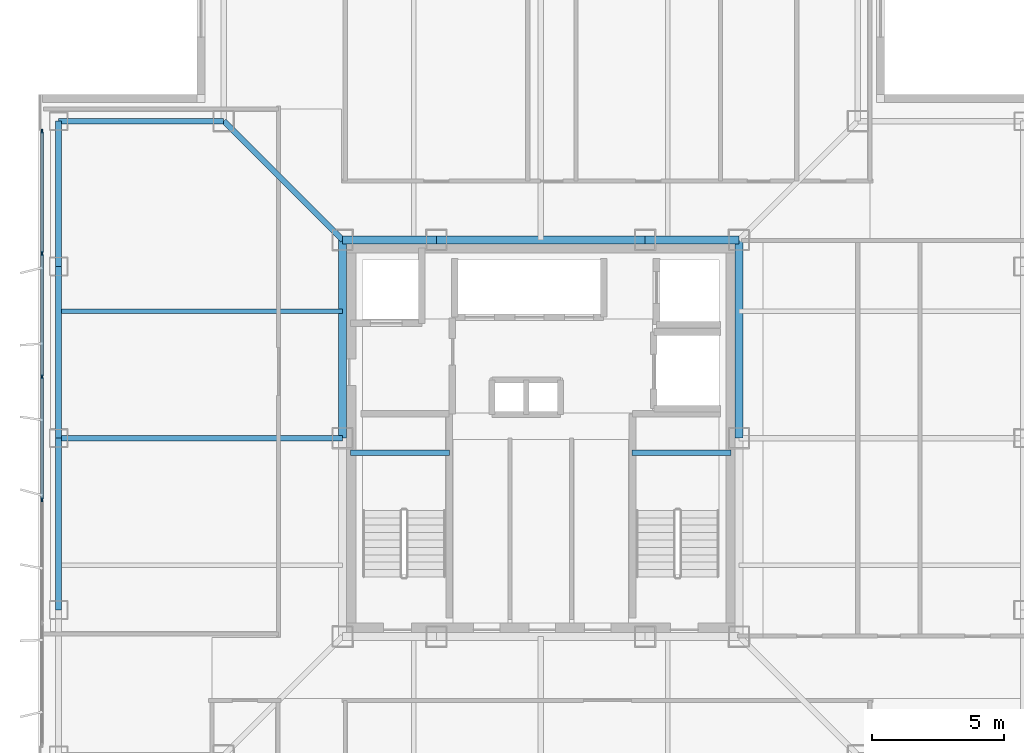
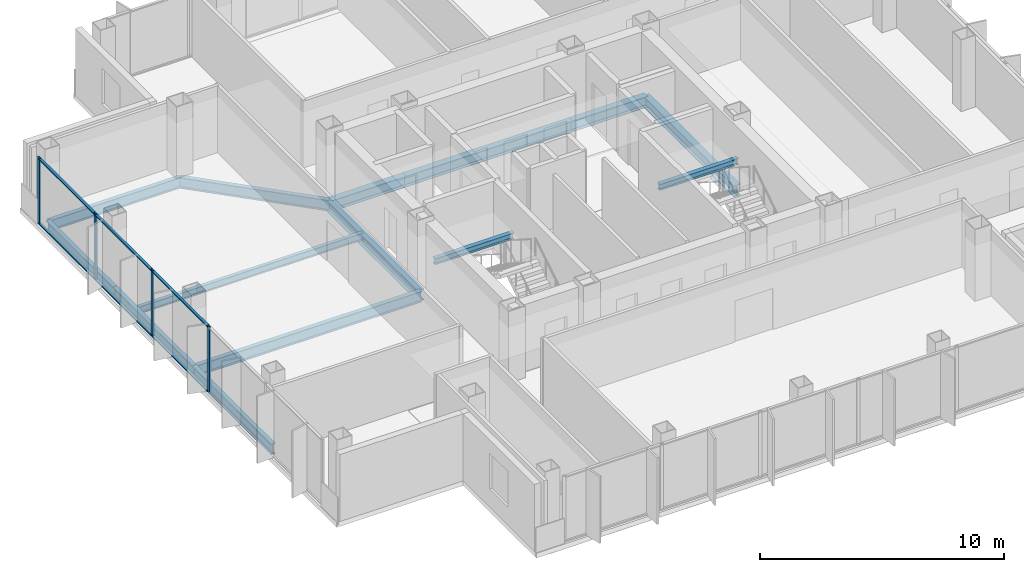
# One storey, part 4 of 15: 14 beams, 10 members, 1 element without a shape of its own.
"""IFC4 building model written with IfcOpenShell, lengths in metres."""

import ifcopenshell
import ifcopenshell.guid

model = None  # the IFC model being written
_history = None  # IfcOwnerHistory: only IFC2X3 demands one
_inside = {}  # id of a spatial element -> (the spatial element, [elements in it])
_under = {}  # id of a project, library or spatial element -> (it, [spatial elements below it])
_declared = {}  # id of a project -> (the project, [libraries it declares])
_typed = {}  # id of a type object -> (the type object, [elements of that type])
_made_of = {}  # id of a material, layer set ... -> (it, [elements and type objects made of it])


def new_model(schema):
    """Start an empty IFC model of exactly this schema.

    Asked for "IFC4X3", IfcOpenShell would pick the latest addendum, in which some entities
    have other attributes; the version numbers below select the first issue.
    IFC2X3 requires an IfcOwnerHistory on every rooted entity: one is made here for all.
    """
    global model, _history
    if schema == "IFC4X3":
        model = ifcopenshell.file(schema_version=(4, 3, 0, 0))
    else:
        model = ifcopenshell.file(schema=schema)
    _inside.clear()
    _under.clear()
    _declared.clear()
    _typed.clear()
    _made_of.clear()
    _history = None
    if model.schema == "IFC2X3":
        org = make("IfcOrganization", Name="unknown")
        user = make(
            "IfcPersonAndOrganization",
            ThePerson=make("IfcPerson", FamilyName="unknown"),
            TheOrganization=org,
        )
        app = make(
            "IfcApplication",
            ApplicationDeveloper=org,
            Version="unknown",
            ApplicationFullName="unknown",
            ApplicationIdentifier="unknown",
        )
        _history = make(
            "IfcOwnerHistory",
            OwningUser=user,
            OwningApplication=app,
            ChangeAction="ADDED",
            CreationDate=0,
        )
    return model


def make(cls, **values):
    """One entity of the class cls with the attributes given. An attribute that is None is left unset."""
    return model.create_entity(
        cls, **{name: value for name, value in values.items() if value is not None}
    )


def rooted(cls, **values):
    """An entity with a GlobalId (a new one), such as an element, a storey or a relation."""
    return make(cls, GlobalId=ifcopenshell.guid.new(), OwnerHistory=_history, **values)


def si_unit(unit_type, name, prefix=None):
    """IfcSIUnit, for example si_unit("LENGTHUNIT", "METRE", prefix="MILLI")."""
    return make("IfcSIUnit", UnitType=unit_type, Prefix=prefix, Name=name)


def assignment(units):
    """IfcUnitAssignment: the units of a project."""
    return None if units is None else make("IfcUnitAssignment", Units=units)


def point(xyz):
    """IfcCartesianPoint."""
    return None if xyz is None else make("IfcCartesianPoint", Coordinates=xyz)


def direction(xyz):
    """IfcDirection."""
    return None if xyz is None else make("IfcDirection", DirectionRatios=xyz)


def frame(location, z_axis=None, x_axis=None):
    """IfcAxis2Placement3D, a coordinate frame: its origin and axes. An axis left out is left unset."""
    return make(
        "IfcAxis2Placement3D",
        Location=point(location),
        Axis=direction(z_axis),
        RefDirection=direction(x_axis),
    )


def frame_2d(location, x_axis=None):
    """IfcAxis2Placement2D, a coordinate frame in the plane: its origin and x axis."""
    return make(
        "IfcAxis2Placement2D", Location=point(location), RefDirection=direction(x_axis)
    )


def origin():
    """The frame at (0, 0, 0) with its axes left unset."""
    return frame((0.0, 0.0, 0.0))


def origin_2d():
    """The frame at (0, 0) in the plane with its x axis left unset."""
    return frame_2d((0.0, 0.0))


def place(relative_to, where):
    """IfcLocalPlacement: puts the frame where relative to a parent placement (None: the world)."""
    return make(
        "IfcLocalPlacement", PlacementRelTo=relative_to, RelativePlacement=where
    )


def context(
    kind, dimensions, precision=None, world=None, true_north=None, identifier=None
):
    """IfcGeometricRepresentationContext, for example the 3D "Model" context."""
    return make(
        "IfcGeometricRepresentationContext",
        ContextIdentifier=identifier,
        ContextType=kind,
        CoordinateSpaceDimension=dimensions,
        Precision=precision,
        WorldCoordinateSystem=world,
        TrueNorth=true_north,
    )


def subcontext(parent, identifier, kind, view, scale=None):
    """IfcGeometricRepresentationSubContext, for example "Body" below "Model"."""
    return make(
        "IfcGeometricRepresentationSubContext",
        ContextIdentifier=identifier,
        ContextType=kind,
        ParentContext=parent,
        TargetScale=scale,
        TargetView=view,
    )


def project(units=None, contexts=None):
    """IfcProject with its units and contexts."""
    return rooted(
        "IfcProject",
        Name="project",
        RepresentationContexts=contexts,
        UnitsInContext=assignment(units),
    )


def spatial(cls, under=None, at=None, **own):
    """A site, building, storey or space (cls), placed at a placement, below another one or the project."""
    s = rooted(cls, ObjectPlacement=at, **own)
    if under is not None:
        _under.setdefault(under.id(), (under, []))[1].append(s)
    return s


def profile(cls, at=None, kind="AREA", **sizes):
    """A parametric profile (cls). Its sizes go by their IFC names, for example OverallWidth=200.0."""
    return make(cls, ProfileType=kind, Position=at, **sizes)


def rectangle(**sizes):
    """IfcRectangleProfileDef."""
    return profile("IfcRectangleProfileDef", **sizes)


def i_section(**sizes):
    """IfcIShapeProfileDef."""
    return profile("IfcIShapeProfileDef", **sizes)


def extrude(swept, where, along, depth):
    """IfcExtrudedAreaSolid: the profile swept, set in the frame where, extruded along a direction by depth."""
    return make(
        "IfcExtrudedAreaSolid",
        SweptArea=swept,
        Position=where,
        ExtrudedDirection=direction(along),
        Depth=depth,
    )


def shape(context_of_items, identifier, shape_type, items):
    """IfcShapeRepresentation: the items that make up one representation, for example the "Body"."""
    return make(
        "IfcShapeRepresentation",
        ContextOfItems=context_of_items,
        RepresentationIdentifier=identifier,
        RepresentationType=shape_type,
        Items=items,
    )


def material(Name=None, Category=None):
    """IfcMaterial."""
    return make("IfcMaterial", Name=Name, Category=Category)


def layer(
    of_material, thickness, ventilated=None, Name=None, Category=None, Priority=None
):
    """IfcMaterialLayer: one layer of a wall or slab, of a material (None: an air gap)."""
    return make(
        "IfcMaterialLayer",
        Material=of_material,
        LayerThickness=thickness,
        IsVentilated=ventilated,
        Name=Name,
        Category=Category,
        Priority=Priority,
    )


def layer_set(layers, Name=None):
    """IfcMaterialLayerSet."""
    return make("IfcMaterialLayerSet", MaterialLayers=layers, LayerSetName=Name)


def material_profile(
    of_material, cross_section, Name=None, Category=None, Priority=None
):
    """IfcMaterialProfile: a cross section and its material."""
    return make(
        "IfcMaterialProfile",
        Name=Name,
        Material=of_material,
        Profile=cross_section,
        Priority=Priority,
        Category=Category,
    )


def profile_set(profiles, Name=None, composite=None):
    """IfcMaterialProfileSet."""
    return make(
        "IfcMaterialProfileSet",
        Name=Name,
        MaterialProfiles=profiles,
        CompositeProfile=composite,
    )


def made_of(thing, what):
    """Note that an element or type object is made of a material, layer set ...; save() writes the relation."""
    if what is not None:
        _made_of.setdefault(what.id(), (what, []))[1].append(thing)
    return thing


def type_object(cls, material=None, **own):
    """A type object (cls), such as IfcWallType, which elements share."""
    return made_of(rooted(cls, **own), material)


def element(
    cls,
    number,
    at=None,
    inside=None,
    cuts=None,
    type_object=None,
    material=None,
    context=None,
    identifier="Body",
    shape_type=None,
    held_by="IfcProductDefinitionShape",
    body=None,
    shapes=None,
    **own,
):
    """One element of the class cls, such as IfcWall. Its Tag is "e" and its number.

    at: its placement. inside: the storey or other place that contains it. cuts: it is an
    opening in that element (IfcRelVoidsElement). A single representation is given by context,
    identifier, shape_type and body (its items); several are given by shapes. held_by: the class
    of the entity that holds the representations. save() writes the other relations.
    """
    e = rooted(cls, Tag="e%d" % number, ObjectPlacement=at, **own)
    if body is not None:
        shapes = [shape(context, identifier, shape_type, body)]
    if shapes is not None:
        e.Representation = make(held_by, Representations=shapes)
    if inside is not None:
        _inside.setdefault(inside.id(), (inside, []))[1].append(e)
    if cuts is not None:
        rooted(
            "IfcRelVoidsElement", RelatingBuildingElement=cuts, RelatedOpeningElement=e
        )
    if type_object is not None:
        _typed.setdefault(type_object.id(), (type_object, []))[1].append(e)
    return made_of(e, material)


def aggregate(whole, parts):
    """IfcRelAggregates: a whole, such as a stair, and the parts it consists of."""
    return rooted("IfcRelAggregates", RelatingObject=whole, RelatedObjects=parts)


def save(model, path):
    """Write the relations noted so far, then the file.

    IfcRelAggregates (storeys below a building ...), IfcRelContainedInSpatialStructure (elements
    in a storey), IfcRelDefinesByType, IfcRelAssociatesMaterial and IfcRelDeclares: one each for
    every whole, place, type object, material and project.
    """
    for whole, parts in _under.values():
        aggregate(whole, parts)
    for where, things in _inside.values():
        rooted(
            "IfcRelContainedInSpatialStructure",
            RelatedElements=things,
            RelatingStructure=where,
        )
    for kind, things in _typed.values():
        rooted("IfcRelDefinesByType", RelatedObjects=things, RelatingType=kind)
    for what, things in _made_of.values():
        rooted("IfcRelAssociatesMaterial", RelatedObjects=things, RelatingMaterial=what)
    for by, libraries in _declared.values():
        rooted("IfcRelDeclares", RelatingContext=by, RelatedDefinitions=libraries)
    model.write(path)


model = new_model("IFC4")

# Units and contexts
model_context = context("Model", 3, precision=1e-05, world=origin(), true_north=direction((0.0, 1.0)))
body_context = subcontext(model_context, "Body", "Model", "MODEL_VIEW")
ifc_project = project(units=[si_unit("LENGTHUNIT", "METRE"), si_unit("AREAUNIT", "SQUARE_METRE"), si_unit("VOLUMEUNIT", "CUBIC_METRE"), si_unit("PLANEANGLEUNIT", "RADIAN"), si_unit("MASSUNIT", "GRAM", prefix="KILO")], contexts=[model_context])

# Site, building, storey
site_placement = place(None, origin())
site = spatial("IfcSite", under=ifc_project, at=site_placement, CompositionType="ELEMENT")
building_placement = place(site_placement, origin())
building = spatial("IfcBuilding", under=site, at=building_placement, Name="Trevonay Congress Spire", CompositionType="ELEMENT")
storey_placement = place(building_placement, frame((0.0, 0.0, 250.39990234375)))
storey = spatial("IfcBuildingStorey", under=building, at=storey_placement, Name="L65", CompositionType="ELEMENT", Elevation=250.39990234375)

# Beams
ifc_material_1 = material(Name="Steel ASTM A572 Grade 50", Category="steel")
ifc_material_profile_1 = material_profile(ifc_material_1, i_section(OverallWidth=0.2119140625, OverallDepth=0.5439453125, WebThickness=0.01318359375, FlangeThickness=0.021240234375, FilletRadius=0.014892578125, at=origin_2d()), Name="W530x123")
ifc_profile_set_1 = profile_set([ifc_material_profile_1], Name="Steel ASTM A572 Grade 50")
beam_type_1 = type_object("IfcBeamType", Name="BM-GIRD-W530X123", PredefinedType="BEAM", material=ifc_profile_set_1)
beam_1_placement = place(storey_placement, frame((-7.5, 7.5, -0.511962890625), z_axis=(-0.707106781187, 0.707106781187, 0.0), x_axis=(-0.707106781187, -0.707106781187, 0.0)))
element("IfcBeam", 1, at=beam_1_placement, inside=storey, type_object=beam_type_1, Name="L65 structural beam BM-L65-CDNW", PredefinedType="BEAM", context=body_context, shape_type="SweptSolid", body=[
    extrude(i_section(OverallWidth=0.2119140625, OverallDepth=0.5439453125, WebThickness=0.01318359375, FlangeThickness=0.021240234375, FilletRadius=0.014892578125, at=origin_2d()), origin(), (0.0, 0.0, 1.0), 6.364013671875),
])
beam_2_placement = place(storey_placement, frame((-7.5, 0.0, -0.511962890625), z_axis=(-1.0, 0.0, 0.0), x_axis=(0.0, -1.0, 0.0)))
element("IfcBeam", 2, at=beam_2_placement, inside=storey, type_object=beam_type_1, Name="L65 structural beam BM-L65-GC-W", PredefinedType="BEAM", context=body_context, shape_type="SweptSolid", body=[
    extrude(i_section(OverallWidth=0.2119140625, OverallDepth=0.5439453125, WebThickness=0.01318359375, FlangeThickness=0.021240234375, FilletRadius=0.014892578125, at=origin_2d()), origin(), (0.0, 0.0, 1.0), 10.75),
])
ifc_material_profile_2 = material_profile(ifc_material_1, i_section(OverallWidth=0.31201171875, OverallDepth=0.54296875, WebThickness=0.0126953125, FlangeThickness=0.020263671875, FilletRadius=0.014892578125, at=origin_2d()), Name="W530x150")
ifc_profile_set_2 = profile_set([ifc_material_profile_2], Name="Steel ASTM A572 Grade 50")
beam_type_2 = type_object("IfcBeamType", Name="BM-GIRD-W530X150", PredefinedType="BEAM", material=ifc_profile_set_2)
beam_3_placement = place(storey_placement, frame((-7.5, 7.5, -0.511474609375), z_axis=(1.0, 0.0, 0.0), x_axis=(0.0, 1.0, 0.0)))
element("IfcBeam", 3, at=beam_3_placement, inside=storey, type_object=beam_type_2, Name="L65 structural beam BM-L65-CR-N1", PredefinedType="BEAM", context=body_context, shape_type="SweptSolid", body=[
    extrude(i_section(OverallWidth=0.31201171875, OverallDepth=0.54296875, WebThickness=0.0126953125, FlangeThickness=0.020263671875, FilletRadius=0.014892578125, at=origin_2d()), origin(), (0.0, 0.0, 1.0), 3.550048828125),
])
beam_4_placement = place(storey_placement, frame((-3.949951171875, 7.5, -0.511474609375), z_axis=(1.0, 0.0, 0.0), x_axis=(0.0, 1.0, 0.0)))
element("IfcBeam", 4, at=beam_4_placement, inside=storey, type_object=beam_type_2, Name="L65 structural beam BM-L65-CR-N2", PredefinedType="BEAM", context=body_context, shape_type="SweptSolid", body=[
    extrude(i_section(OverallWidth=0.31201171875, OverallDepth=0.54296875, WebThickness=0.0126953125, FlangeThickness=0.020263671875, FilletRadius=0.014892578125, at=origin_2d()), origin(), (0.0, 0.0, 1.0), 7.89990234375),
])
beam_5_placement = place(storey_placement, frame((3.949951171875, 7.5, -0.511474609375), z_axis=(1.0, 0.0, 0.0), x_axis=(0.0, 1.0, 0.0)))
element("IfcBeam", 5, at=beam_5_placement, inside=storey, type_object=beam_type_2, Name="L65 structural beam BM-L65-CR-N3", PredefinedType="BEAM", context=body_context, shape_type="SweptSolid", body=[
    extrude(i_section(OverallWidth=0.31201171875, OverallDepth=0.54296875, WebThickness=0.0126953125, FlangeThickness=0.020263671875, FilletRadius=0.014892578125, at=origin_2d()), origin(), (0.0, 0.0, 1.0), 3.550048828125),
])
for number, where, z_axis, x_axis, name in (
    (6, (-7.5, 0.0, -0.511474609375), (0.0, 1.0, 0.0), (-1.0, 0.0, 0.0), "L65 structural beam BM-L65-CR-W2"),
    (7, (7.5, 0.0, -0.511474609375), (0.0, 1.0, 0.0), (-1.0, 0.0, 0.0), "L65 structural beam BM-L65-CR-E2"),
):
    element("IfcBeam", number, at=place(storey_placement, frame(where, z_axis=z_axis, x_axis=x_axis)), inside=storey, type_object=beam_type_2, Name=name, PredefinedType="BEAM", context=body_context, shape_type="SweptSolid", body=[
        extrude(i_section(OverallWidth=0.31201171875, OverallDepth=0.54296875, WebThickness=0.0126953125, FlangeThickness=0.020263671875, FilletRadius=0.014892578125, at=origin_2d()), origin(), (0.0, 0.0, 1.0), 7.5),
    ])
ifc_material_profile_3 = material_profile(ifc_material_1, i_section(OverallWidth=0.208984375, OverallDepth=0.532958984375, WebThickness=0.01025390625, FlangeThickness=0.015625, FilletRadius=0.014892578125, at=origin_2d()), Name="W530x92")
ifc_profile_set_3 = profile_set([ifc_material_profile_3], Name="Steel ASTM A572 Grade 50")
beam_type_3 = type_object("IfcBeamType", Name="BM-RING-W530X92", PredefinedType="BEAM", material=ifc_profile_set_3)
for number, where, z_axis, x_axis, name in (
    (8, (-18.25, -6.5, -0.50634765625), (0.0, 1.0, 0.0), (-1.0, 0.0, 0.0), "L65 structural beam BM-L65-PW2"),
    (9, (-18.25, 0.0, -0.50634765625), (0.0, 1.0, 0.0), (-1.0, 0.0, 0.0), "L65 structural beam BM-L65-PW3"),
):
    element("IfcBeam", number, at=place(storey_placement, frame(where, z_axis=z_axis, x_axis=x_axis)), inside=storey, type_object=beam_type_3, Name=name, PredefinedType="BEAM", context=body_context, shape_type="SweptSolid", body=[
        extrude(i_section(OverallWidth=0.208984375, OverallDepth=0.532958984375, WebThickness=0.01025390625, FlangeThickness=0.015625, FilletRadius=0.014892578125, at=origin_2d()), origin(), (0.0, 0.0, 1.0), 6.5),
    ])
beam_6_placement = place(storey_placement, frame((-18.25, 6.5, -0.50634765625), z_axis=(0.0, 1.0, 0.0), x_axis=(-1.0, 0.0, 0.0)))
element("IfcBeam", 10, at=beam_6_placement, inside=storey, type_object=beam_type_3, Name="L65 structural beam BM-L65-PW4", PredefinedType="BEAM", context=body_context, shape_type="SweptSolid", body=[
    extrude(i_section(OverallWidth=0.208984375, OverallDepth=0.532958984375, WebThickness=0.01025390625, FlangeThickness=0.015625, FilletRadius=0.014892578125, at=origin_2d()), origin(), (0.0, 0.0, 1.0), 5.5),
])
beam_7_placement = place(storey_placement, frame((-18.25, 12.0, -0.50634765625), z_axis=(1.0, 0.0, 0.0), x_axis=(0.0, 1.0, 0.0)))
element("IfcBeam", 11, at=beam_7_placement, inside=storey, type_object=beam_type_3, Name="L65 structural beam BM-L65-N2NW", PredefinedType="BEAM", context=body_context, shape_type="SweptSolid", body=[
    extrude(i_section(OverallWidth=0.208984375, OverallDepth=0.532958984375, WebThickness=0.01025390625, FlangeThickness=0.015625, FilletRadius=0.014892578125, at=origin_2d()), origin(), (0.0, 0.0, 1.0), 6.25),
])

# Curtain wall, members
ifc_material_2 = material(Name="Pale Anodised Aluminium EN AW-6063-T6", Category="aluminium")
ifc_layer = layer(ifc_material_2, 0.1650390625, Name="Pale Anodised Aluminium EN AW-6063-T6")
ifc_layer_set = layer_set([ifc_layer], Name="Pale Anodised Aluminium EN AW-6063-T6")
curtain_wall_type = type_object("IfcCurtainWallType", Name="CW-SYS05-DIPLOM-PALE-METAL", PredefinedType="NOTDEFINED", material=ifc_layer_set)
curtain_wall_placement = place(storey_placement, origin())
curtain_wall = element("IfcCurtainWall", 12, at=curtain_wall_placement, inside=storey, type_object=curtain_wall_type, Name="L65 W unitised curtain wall", PredefinedType="NOTDEFINED")
ifc_material_profile_4 = material_profile(ifc_material_2, rectangle(XDim=0.06005859375, YDim=0.159912109375, at=origin_2d()), Name="CW-MULLION-160-ALUMINIUM")
ifc_profile_set_4 = profile_set([ifc_material_profile_4], Name="Pale Anodised Aluminium EN AW-6063-T6")
member_type_1 = type_object("IfcMemberType", Name="CW-MULLION-160-ALUMINIUM", PredefinedType="MULLION", material=ifc_profile_set_4)
member_1_placement = place(storey_placement, frame((-18.8798828125, -2.330078125, 0.0), z_axis=(0.0, 0.0, 1.0), x_axis=(-1.0, 0.0, 0.0)))
member_1 = element("IfcMember", 13, at=member_1_placement, type_object=member_type_1, Name="CW05 mullion 3", PredefinedType="MULLION", context=body_context, shape_type="SweptSolid", body=[
    extrude(rectangle(XDim=0.06005859375, YDim=0.159912109375, at=origin_2d()), origin(), (0.0, 0.0, 1.0), 3.360107421875),
])
member_2_placement = place(storey_placement, frame((-18.8798828125, 2.330078125, 0.0), z_axis=(0.0, 0.0, 1.0), x_axis=(-1.0, 0.0, 0.0)))
member_2 = element("IfcMember", 14, at=member_2_placement, type_object=member_type_1, Name="CW05 mullion 4", PredefinedType="MULLION", context=body_context, shape_type="SweptSolid", body=[
    extrude(rectangle(XDim=0.06005859375, YDim=0.159912109375, at=origin_2d()), origin(), (0.0, 0.0, 1.0), 3.360107421875),
])
member_3_placement = place(storey_placement, frame((-18.8798828125, 6.989990234375, 0.0), z_axis=(0.0, 0.0, 1.0), x_axis=(-1.0, 0.0, 0.0)))
member_3 = element("IfcMember", 15, at=member_3_placement, type_object=member_type_1, Name="CW05 mullion 5", PredefinedType="MULLION", context=body_context, shape_type="SweptSolid", body=[
    extrude(rectangle(XDim=0.06005859375, YDim=0.159912109375, at=origin_2d()), origin(), (0.0, 0.0, 1.0), 3.360107421875),
])
member_4_placement = place(storey_placement, frame((-18.8798828125, 11.6201171875, 0.0), z_axis=(0.0, 0.0, 1.0), x_axis=(-1.0, 0.0, 0.0)))
member_4 = element("IfcMember", 16, at=member_4_placement, type_object=member_type_1, Name="CW05 mullion 6", PredefinedType="MULLION", context=body_context, shape_type="SweptSolid", body=[
    extrude(rectangle(XDim=0.06005859375, YDim=0.159912109375, at=origin_2d()), origin(), (0.0, 0.0, 1.0), 3.360107421875),
])
ifc_material_profile_5 = material_profile(ifc_material_2, rectangle(XDim=0.1201171875, YDim=0.06005859375, at=origin_2d()), Name="CW-TRANSOM-120-ALUMINIUM")
ifc_profile_set_5 = profile_set([ifc_material_profile_5], Name="Pale Anodised Aluminium EN AW-6063-T6")
member_type_2 = type_object("IfcMemberType", Name="CW-TRANSOM-120-ALUMINIUM", PredefinedType="USERDEFINED", material=ifc_profile_set_5)
member_5_placement = place(storey_placement, frame((-18.8798828125, -2.300048828125, 0.06005859375), z_axis=(0.0, 1.0, 0.0), x_axis=(-1.0, 0.0, 0.0)))
member_5 = element("IfcMember", 17, at=member_5_placement, type_object=member_type_2, Name="CW05 transom 3.1", ObjectType="TRANSOM", PredefinedType="USERDEFINED", context=body_context, shape_type="SweptSolid", body=[
    extrude(rectangle(XDim=0.1201171875, YDim=0.06005859375, at=origin_2d()), origin(), (0.0, 0.0, 1.0), 4.60009765625),
])
member_6_placement = place(storey_placement, frame((-18.8798828125, -2.300048828125, 3.300048828125), z_axis=(0.0, 1.0, 0.0), x_axis=(-1.0, 0.0, 0.0)))
member_6 = element("IfcMember", 18, at=member_6_placement, type_object=member_type_2, Name="CW05 transom 3.2", ObjectType="TRANSOM", PredefinedType="USERDEFINED", context=body_context, shape_type="SweptSolid", body=[
    extrude(rectangle(XDim=0.1201171875, YDim=0.06005859375, at=origin_2d()), origin(), (0.0, 0.0, 1.0), 4.60009765625),
])
member_7_placement = place(storey_placement, frame((-18.8798828125, 2.360107421875, 0.06005859375), z_axis=(0.0, 1.0, 0.0), x_axis=(-1.0, 0.0, 0.0)))
member_7 = element("IfcMember", 19, at=member_7_placement, type_object=member_type_2, Name="CW05 transom 4.1", ObjectType="TRANSOM", PredefinedType="USERDEFINED", context=body_context, shape_type="SweptSolid", body=[
    extrude(rectangle(XDim=0.1201171875, YDim=0.06005859375, at=origin_2d()), origin(), (0.0, 0.0, 1.0), 4.599853515625),
])
member_8_placement = place(storey_placement, frame((-18.8798828125, 2.360107421875, 3.300048828125), z_axis=(0.0, 1.0, 0.0), x_axis=(-1.0, 0.0, 0.0)))
member_8 = element("IfcMember", 20, at=member_8_placement, type_object=member_type_2, Name="CW05 transom 4.2", ObjectType="TRANSOM", PredefinedType="USERDEFINED", context=body_context, shape_type="SweptSolid", body=[
    extrude(rectangle(XDim=0.1201171875, YDim=0.06005859375, at=origin_2d()), origin(), (0.0, 0.0, 1.0), 4.599853515625),
])
member_9_placement = place(storey_placement, frame((-18.8798828125, 7.02001953125, 0.06005859375), z_axis=(0.0, 1.0, 0.0), x_axis=(-1.0, 0.0, 0.0)))
member_9 = element("IfcMember", 21, at=member_9_placement, type_object=member_type_2, Name="CW05 transom 5.1", ObjectType="TRANSOM", PredefinedType="USERDEFINED", context=body_context, shape_type="SweptSolid", body=[
    extrude(rectangle(XDim=0.1201171875, YDim=0.06005859375, at=origin_2d()), origin(), (0.0, 0.0, 1.0), 4.570068359375),
])
member_10_placement = place(storey_placement, frame((-18.8798828125, 7.02001953125, 3.300048828125), z_axis=(0.0, 1.0, 0.0), x_axis=(-1.0, 0.0, 0.0)))
member_10 = element("IfcMember", 22, at=member_10_placement, type_object=member_type_2, Name="CW05 transom 5.2", ObjectType="TRANSOM", PredefinedType="USERDEFINED", context=body_context, shape_type="SweptSolid", body=[
    extrude(rectangle(XDim=0.1201171875, YDim=0.06005859375, at=origin_2d()), origin(), (0.0, 0.0, 1.0), 4.570068359375),
])
aggregate(curtain_wall, [member_1, member_2, member_3, member_4, member_5, member_6, member_7, member_8, member_9, member_10])

# Beams
ifc_material_profile_6 = material_profile(ifc_material_1, i_section(OverallWidth=0.172119140625, OverallDepth=0.35791015625, WebThickness=0.0078125, FlangeThickness=0.01318359375, FilletRadius=0.011962890625, at=origin_2d()), Name="W360x57.8")
ifc_profile_set_6 = profile_set([ifc_material_profile_6], Name="Steel ASTM A572 Grade 50")
beam_type_4 = type_object("IfcBeamType", Name="JS-COMP-W360X57", PredefinedType="JOIST", material=ifc_profile_set_6)
beam_8_placement = place(storey_placement, frame((-18.25, 4.800048828125, -0.4189453125), z_axis=(1.0, 0.0, 0.0), x_axis=(0.0, 1.0, 0.0)))
element("IfcBeam", 23, at=beam_8_placement, inside=storey, type_object=beam_type_4, Name="L65 structural beam JS-L65-EW-W3", PredefinedType="JOIST", context=body_context, shape_type="SweptSolid", body=[
    extrude(i_section(OverallWidth=0.172119140625, OverallDepth=0.35791015625, WebThickness=0.0078125, FlangeThickness=0.01318359375, FilletRadius=0.011962890625, at=origin_2d()), origin(), (0.0, 0.0, 1.0), 10.75),
])
ifc_material_profile_7 = material_profile(ifc_material_1, i_section(OverallWidth=0.2041015625, OverallDepth=0.305908203125, WebThickness=0.008544921875, FlangeThickness=0.0146484375, FilletRadius=0.010986328125, at=origin_2d()), Name="W310x67")
ifc_profile_set_7 = profile_set([ifc_material_profile_7], Name="Steel ASTM A572 Grade 50")
beam_type_5 = type_object("IfcBeamType", Name="LN-CORE-W310X67", PredefinedType="LINTEL", material=ifc_profile_set_7)
for number, where, z_axis, x_axis, name in (
    (24, (-7.199951171875, -0.550048828125, 1.447021484375), (1.0, 0.0, 0.0), (0.0, 1.0, 0.0), "L65 structural beam BM-L65-HL-ST1"),
    (25, (3.449951171875, -0.550048828125, 1.447021484375), (1.0, 0.0, 0.0), (0.0, 1.0, 0.0), "L65 structural beam BM-L65-HL-ST2"),
):
    element("IfcBeam", number, at=place(storey_placement, frame(where, z_axis=z_axis, x_axis=x_axis)), inside=storey, type_object=beam_type_5, Name=name, PredefinedType="LINTEL", context=body_context, shape_type="SweptSolid", body=[
        extrude(i_section(OverallWidth=0.2041015625, OverallDepth=0.305908203125, WebThickness=0.008544921875, FlangeThickness=0.0146484375, FilletRadius=0.010986328125, at=origin_2d()), origin(), (0.0, 0.0, 1.0), 3.75),
    ])

save(model, "model.ifc")
